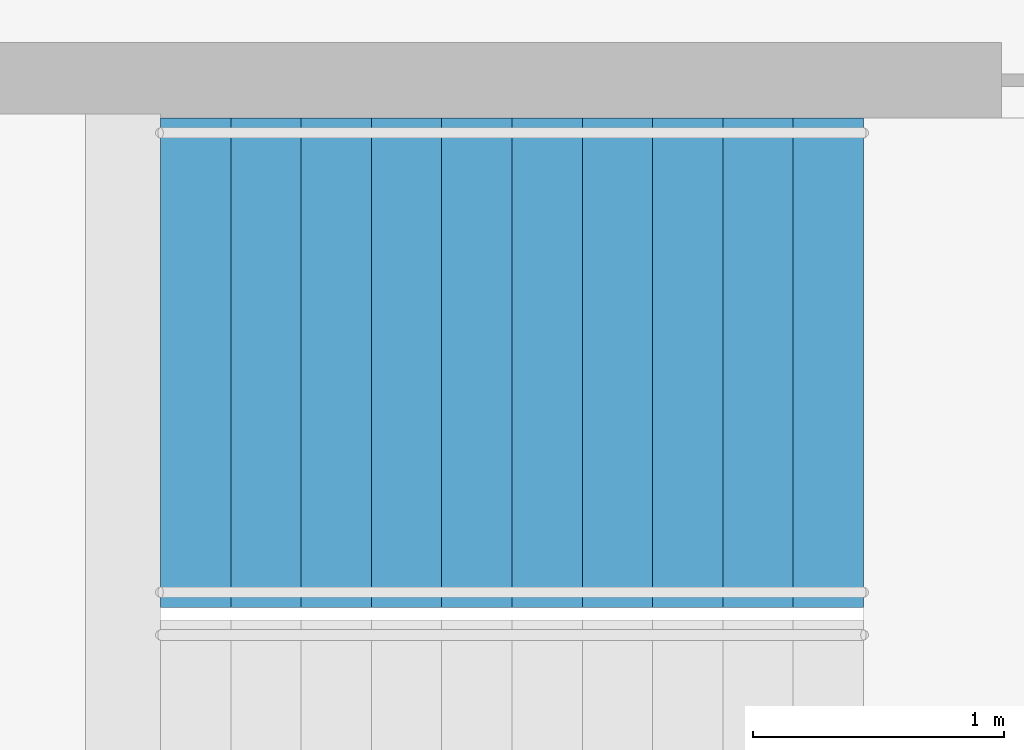
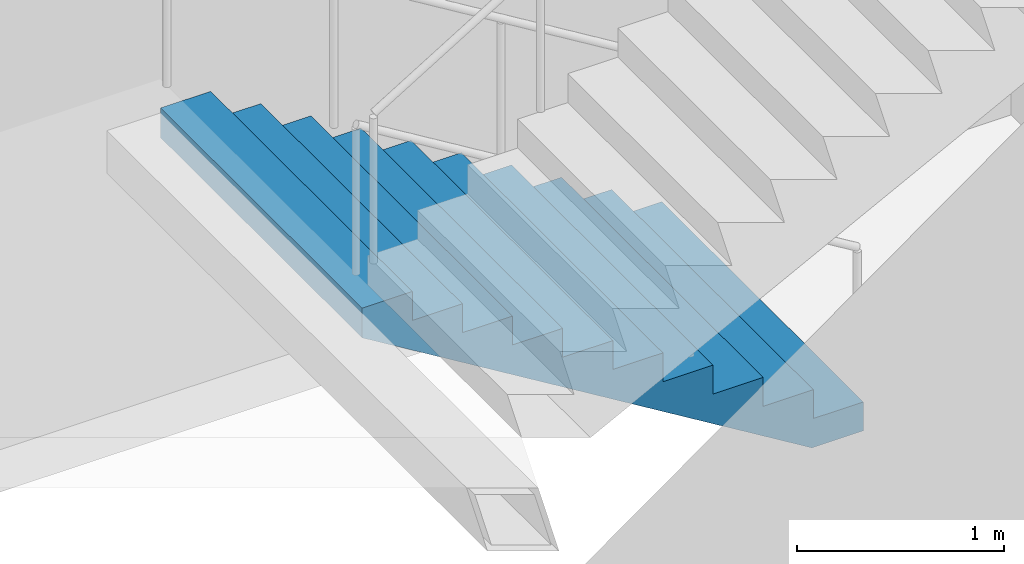
# One storey, part 24 of 25: 1 stair flight, 1 element without a shape of its own.
"""IFC4 building model written with IfcOpenShell, lengths in metres."""

from ifc_helpers import new_model, si_unit, direction, frame, origin, place, context, subcontext, project, spatial, triangles, material, type_object, element, aggregate, save


model = new_model("IFC4")

# Units and contexts
model_context = context("Model", 3, precision=1e-05, world=origin(), true_north=direction((0.0, 1.0)))
body_context = subcontext(model_context, "Body", "Model", "MODEL_VIEW")
ifc_project = project(units=[si_unit("LENGTHUNIT", "METRE"), si_unit("AREAUNIT", "SQUARE_METRE"), si_unit("VOLUMEUNIT", "CUBIC_METRE"), si_unit("PLANEANGLEUNIT", "RADIAN"), si_unit("MASSUNIT", "GRAM", prefix="KILO")], contexts=[model_context])

# Site, building, storey
site_placement = place(None, origin())
site = spatial("IfcSite", under=ifc_project, at=site_placement, CompositionType="ELEMENT")
building_placement = place(site_placement, origin())
building = spatial("IfcBuilding", under=site, at=building_placement, Name="Orbita Commons", CompositionType="ELEMENT")
storey_placement = place(building_placement, frame((0.0, 0.0, 31.449951171875)))
storey = spatial("IfcBuildingStorey", under=building, at=storey_placement, Name="L07", CompositionType="ELEMENT", Elevation=31.449951171875)

# Stair, stair flight
ifc_material_1 = material(Name="Precast concrete C40/50", Category="concrete")
stair_type = type_object("IfcStairType", Name="Exit stair S2 2 flights 11 risers 170", PredefinedType="HALF_TURN_STAIR", material=ifc_material_1)
stair_placement = place(storey_placement, origin())
stair = element("IfcStair", 1, at=stair_placement, inside=storey, type_object=stair_type, Name="Exit stair S2 L07", PredefinedType="HALF_TURN_STAIR")
ifc_material_2 = material(Name="Precast concrete C40/50", Category="concrete")
stair_flight_type = type_object("IfcStairFlightType", Name="Stair flight 11 risers 170 x 280", PredefinedType="STRAIGHT", material=ifc_material_2)
stair_flight_placement = place(storey_placement, frame((63.550048828125, 29.27490234375, 0.0), z_axis=(0.0, 0.0, 1.0), x_axis=(-1.0, 0.0, 0.0)))
stair_flight = element("IfcStairFlight", 2, at=stair_flight_placement, type_object=stair_flight_type, Name="S2 flight 1", NumberOfRisers=11, NumberOfTreads=10, PredefinedType="STRAIGHT", RiserHeight=0.170454545, TreadLength=0.28, context=body_context, shape_type="Tessellation", body=[
    triangles([(0.0, 0.974976, 0.0), (0.0, 0.974976, 0.021307), (0.0, 0.81248, 0.021307), (0.0, 0.81248, 0.0), (0.0, 0.649984, 0.021307), (0.0, 0.649984, 0.0), (0.0, 0.487488, 0.021307), (0.0, 0.487488, 0.0), (0.0, 0.324992, 0.021307), (0.0, 0.324992, 0.0), (0.0, 0.162496, 0.021307), (0.0, 0.162496, 0.0), (0.0, 0.0, 0.021307), (0.0, 0.0, 0.0), (0.0, -0.162496, 0.021307), (0.0, -0.162496, 0.0), (0.0, -0.324992, 0.021307), (0.0, -0.324992, 0.0), (0.0, -0.487488, 0.021307), (0.0, -0.487488, 0.0), (0.0, -0.649984, 0.021307), (0.0, -0.649984, 0.0), (0.0, -0.81248, 0.021307), (0.0, -0.81248, 0.0), (0.0, -0.974976, 0.021307), (0.0, -0.974976, 0.0), (0.0, 0.974976, 0.042614), (0.0, 0.81248, 0.042614), (0.0, 0.649984, 0.042614), (0.0, 0.487488, 0.042614), (0.0, 0.324992, 0.042614), (0.0, 0.162496, 0.042614), (0.0, 0.0, 0.042614), (0.0, -0.162496, 0.042614), (0.0, -0.324992, 0.042614), (0.0, -0.487488, 0.042614), (0.0, -0.649984, 0.042614), (0.0, -0.81248, 0.042614), (0.0, -0.974976, 0.042614), (0.0, 0.974976, 0.06392), (0.0, 0.81248, 0.06392), (0.0, 0.649984, 0.06392), (0.0, 0.487488, 0.06392), (0.0, 0.324992, 0.06392), (0.0, 0.162496, 0.06392), (0.0, 0.0, 0.06392), (0.0, -0.162496, 0.06392), (0.0, -0.324992, 0.06392), (0.0, -0.487488, 0.06392), (0.0, -0.649984, 0.06392), (0.0, -0.81248, 0.06392), (0.0, -0.974976, 0.06392), (0.0, 0.974976, 0.085227), (0.0, 0.81248, 0.085227), (0.0, 0.649984, 0.085227), (0.0, 0.487488, 0.085227), (0.0, 0.324992, 0.085227), (0.0, 0.162496, 0.085227), (0.0, 0.0, 0.085227), (0.0, -0.162496, 0.085227), (0.0, -0.324992, 0.085227), (0.0, -0.487488, 0.085227), (0.0, -0.649984, 0.085227), (0.0, -0.81248, 0.085227), (0.0, -0.974976, 0.085227), (0.0, 0.974976, 0.106534), (0.0, 0.81248, 0.106534), (0.0, 0.649984, 0.106534), (0.0, 0.487488, 0.106534), (0.0, 0.324992, 0.106534), (0.0, 0.162496, 0.106534), (0.0, 0.0, 0.106534), (0.0, -0.162496, 0.106534), (0.0, -0.324992, 0.106534), (0.0, -0.487488, 0.106534), (0.0, -0.649984, 0.106534), (0.0, -0.81248, 0.106534), (0.0, -0.974976, 0.106534), (0.0, 0.974976, 0.127841), (0.0, 0.81248, 0.127841), (0.0, 0.649984, 0.127841), (0.0, 0.487488, 0.127841), (0.0, 0.324992, 0.127841), (0.0, 0.162496, 0.127841), (0.0, 0.0, 0.127841), (0.0, -0.162496, 0.127841), (0.0, -0.324992, 0.127841), (0.0, -0.487488, 0.127841), (0.0, -0.649984, 0.127841), (0.0, -0.81248, 0.127841), (0.0, -0.974976, 0.127841), (0.0, 0.974976, 0.149148), (0.0, 0.81248, 0.149148), (0.0, 0.649984, 0.149148), (0.0, 0.487488, 0.149148), (0.0, 0.324992, 0.149148), (0.0, 0.162496, 0.149148), (0.0, 0.0, 0.149148), (0.0, -0.162496, 0.149148), (0.0, -0.324992, 0.149148), (0.0, -0.487488, 0.149148), (0.0, -0.649984, 0.149148), (0.0, -0.81248, 0.149148), (0.0, -0.974976, 0.149148), (0.0, 0.974976, 0.170455), (0.0, 0.81248, 0.170455), (0.0, 0.649984, 0.170455), (0.0, 0.487488, 0.170455), (0.0, 0.324992, 0.170455), (0.0, 0.162496, 0.170455), (0.0, 0.0, 0.170455), (0.0, -0.162496, 0.170455), (0.0, -0.324992, 0.170455), (0.0, -0.487488, 0.170455), (0.0, -0.649984, 0.170455), (0.0, -0.81248, 0.170455), (0.0, -0.974976, 0.170455), (0.28, 0.974976, 0.170455), (0.28, 0.81248, 0.170455), (0.28, 0.649984, 0.170455), (0.28, 0.487488, 0.170455), (0.28, 0.324992, 0.170455), (0.28, 0.162496, 0.170455), (0.28, 0.0, 0.170455), (0.28, -0.162496, 0.170455), (0.28, -0.324992, 0.170455), (0.28, -0.487488, 0.170455), (0.28, -0.649984, 0.170455), (0.28, -0.81248, 0.170455), (0.28, -0.974976, 0.170455), (0.28, 0.974976, 0.340909), (0.28, 0.81248, 0.340909), (0.28, 0.649984, 0.340909), (0.28, 0.487488, 0.340909), (0.28, 0.324992, 0.340909), (0.28, 0.162496, 0.340909), (0.28, 0.0, 0.340909), (0.28, -0.162496, 0.340909), (0.28, -0.324992, 0.340909), (0.28, -0.487488, 0.340909), (0.28, -0.649984, 0.340909), (0.28, -0.81248, 0.340909), (0.28, -0.974976, 0.340909), (0.56, 0.974976, 0.340909), (0.56, 0.81248, 0.340909), (0.56, 0.649984, 0.340909), (0.56, 0.487488, 0.340909), (0.56, 0.324992, 0.340909), (0.56, 0.162496, 0.340909), (0.56, 0.0, 0.340909), (0.56, -0.162496, 0.340909), (0.56, -0.324992, 0.340909), (0.56, -0.487488, 0.340909), (0.56, -0.649984, 0.340909), (0.56, -0.81248, 0.340909), (0.56, -0.974976, 0.340909), (0.56, 0.974976, 0.511364), (0.56, 0.81248, 0.511364), (0.56, 0.649984, 0.511364), (0.56, 0.487488, 0.511364), (0.56, 0.324992, 0.511364), (0.56, 0.162496, 0.511364), (0.56, 0.0, 0.511364), (0.56, -0.162496, 0.511364), (0.56, -0.324992, 0.511364), (0.56, -0.487488, 0.511364), (0.56, -0.649984, 0.511364), (0.56, -0.81248, 0.511364), (0.56, -0.974976, 0.511364), (0.84, 0.974976, 0.511364), (0.84, 0.81248, 0.511364), (0.84, 0.649984, 0.511364), (0.84, 0.487488, 0.511364), (0.84, 0.324992, 0.511364), (0.84, 0.162496, 0.511364), (0.84, 0.0, 0.511364), (0.84, -0.162496, 0.511364), (0.84, -0.324992, 0.511364), (0.84, -0.487488, 0.511364), (0.84, -0.649984, 0.511364), (0.84, -0.81248, 0.511364), (0.84, -0.974976, 0.511364), (0.84, 0.974976, 0.681818), (0.84, 0.81248, 0.681818), (0.84, 0.649984, 0.681818), (0.84, 0.487488, 0.681818), (0.84, 0.324992, 0.681818), (0.84, 0.162496, 0.681818), (0.84, 0.0, 0.681818), (0.84, -0.162496, 0.681818), (0.84, -0.324992, 0.681818), (0.84, -0.487488, 0.681818), (0.84, -0.649984, 0.681818), (0.84, -0.81248, 0.681818), (0.84, -0.974976, 0.681818), (1.12, 0.974976, 0.681818), (1.12, 0.81248, 0.681818), (1.12, 0.649984, 0.681818), (1.12, 0.487488, 0.681818), (1.12, 0.324992, 0.681818), (1.12, 0.162496, 0.681818), (1.12, 0.0, 0.681818), (1.12, -0.162496, 0.681818), (1.12, -0.324992, 0.681818), (1.12, -0.487488, 0.681818), (1.12, -0.649984, 0.681818), (1.12, -0.81248, 0.681818), (1.12, -0.974976, 0.681818), (1.12, 0.974976, 0.852273), (1.12, 0.81248, 0.852273), (1.12, 0.649984, 0.852273), (1.12, 0.487488, 0.852273), (1.12, 0.324992, 0.852273), (1.12, 0.162496, 0.852273), (1.12, 0.0, 0.852273), (1.12, -0.162496, 0.852273), (1.12, -0.324992, 0.852273), (1.12, -0.487488, 0.852273), (1.12, -0.649984, 0.852273), (1.12, -0.81248, 0.852273), (1.12, -0.974976, 0.852273), (1.4, 0.974976, 0.852273), (1.4, 0.81248, 0.852273), (1.4, 0.649984, 0.852273), (1.4, 0.487488, 0.852273), (1.4, 0.324992, 0.852273), (1.4, 0.162496, 0.852273), (1.4, 0.0, 0.852273), (1.4, -0.162496, 0.852273), (1.4, -0.324992, 0.852273), (1.4, -0.487488, 0.852273), (1.4, -0.649984, 0.852273), (1.4, -0.81248, 0.852273), (1.4, -0.974976, 0.852273), (1.4, 0.974976, 1.022727), (1.4, 0.81248, 1.022727), (1.4, 0.649984, 1.022727), (1.4, 0.487488, 1.022727), (1.4, 0.324992, 1.022727), (1.4, 0.162496, 1.022727), (1.4, 0.0, 1.022727), (1.4, -0.162496, 1.022727), (1.4, -0.324992, 1.022727), (1.4, -0.487488, 1.022727), (1.4, -0.649984, 1.022727), (1.4, -0.81248, 1.022727), (1.4, -0.974976, 1.022727), (1.68, 0.974976, 1.022727), (1.68, 0.81248, 1.022727), (1.68, 0.649984, 1.022727), (1.68, 0.487488, 1.022727), (1.68, 0.324992, 1.022727), (1.68, 0.162496, 1.022727), (1.68, 0.0, 1.022727), (1.68, -0.162496, 1.022727), (1.68, -0.324992, 1.022727), (1.68, -0.487488, 1.022727), (1.68, -0.649984, 1.022727), (1.68, -0.81248, 1.022727), (1.68, -0.974976, 1.022727), (1.68, 0.974976, 1.193182), (1.68, 0.81248, 1.193182), (1.68, 0.649984, 1.193182), (1.68, 0.487488, 1.193182), (1.68, 0.324992, 1.193182), (1.68, 0.162496, 1.193182), (1.68, 0.0, 1.193182), (1.68, -0.162496, 1.193182), (1.68, -0.324992, 1.193182), (1.68, -0.487488, 1.193182), (1.68, -0.649984, 1.193182), (1.68, -0.81248, 1.193182), (1.68, -0.974976, 1.193182), (1.96, 0.974976, 1.193182), (1.96, 0.81248, 1.193182), (1.96, 0.649984, 1.193182), (1.96, 0.487488, 1.193182), (1.96, 0.324992, 1.193182), (1.96, 0.162496, 1.193182), (1.96, 0.0, 1.193182), (1.96, -0.162496, 1.193182), (1.96, -0.324992, 1.193182), (1.96, -0.487488, 1.193182), (1.96, -0.649984, 1.193182), (1.96, -0.81248, 1.193182), (1.96, -0.974976, 1.193182), (1.96, 0.974976, 1.363636), (1.96, 0.81248, 1.363636), (1.96, 0.649984, 1.363636), (1.96, 0.487488, 1.363636), (1.96, 0.324992, 1.363636), (1.96, 0.162496, 1.363636), (1.96, 0.0, 1.363636), (1.96, -0.162496, 1.363636), (1.96, -0.324992, 1.363636), (1.96, -0.487488, 1.363636), (1.96, -0.649984, 1.363636), (1.96, -0.81248, 1.363636), (1.96, -0.974976, 1.363636), (2.24, 0.974976, 1.363636), (2.24, 0.81248, 1.363636), (2.24, 0.649984, 1.363636), (2.24, 0.487488, 1.363636), (2.24, 0.324992, 1.363636), (2.24, 0.162496, 1.363636), (2.24, 0.0, 1.363636), (2.24, -0.162496, 1.363636), (2.24, -0.324992, 1.363636), (2.24, -0.487488, 1.363636), (2.24, -0.649984, 1.363636), (2.24, -0.81248, 1.363636), (2.24, -0.974976, 1.363636), (2.24, 0.974976, 1.534091), (2.24, 0.81248, 1.534091), (2.24, 0.649984, 1.534091), (2.24, 0.487488, 1.534091), (2.24, 0.324992, 1.534091), (2.24, 0.162496, 1.534091), (2.24, 0.0, 1.534091), (2.24, -0.162496, 1.534091), (2.24, -0.324992, 1.534091), (2.24, -0.487488, 1.534091), (2.24, -0.649984, 1.534091), (2.24, -0.81248, 1.534091), (2.24, -0.974976, 1.534091), (2.52, 0.974976, 1.534091), (2.52, 0.81248, 1.534091), (2.52, 0.649984, 1.534091), (2.52, 0.487488, 1.534091), (2.52, 0.324992, 1.534091), (2.52, 0.162496, 1.534091), (2.52, 0.0, 1.534091), (2.52, -0.162496, 1.534091), (2.52, -0.324992, 1.534091), (2.52, -0.487488, 1.534091), (2.52, -0.649984, 1.534091), (2.52, -0.81248, 1.534091), (2.52, -0.974976, 1.534091), (2.52, 0.974976, 1.704545), (2.52, 0.81248, 1.704545), (2.52, 0.649984, 1.704545), (2.52, 0.487488, 1.704545), (2.52, 0.324992, 1.704545), (2.52, 0.162496, 1.704545), (2.52, 0.0, 1.704545), (2.52, -0.162496, 1.704545), (2.52, -0.324992, 1.704545), (2.52, -0.487488, 1.704545), (2.52, -0.649984, 1.704545), (2.52, -0.81248, 1.704545), (2.52, -0.974976, 1.704545), (2.8, 0.974976, 1.704545), (2.8, 0.81248, 1.704545), (2.8, 0.649984, 1.704545), (2.8, 0.487488, 1.704545), (2.8, 0.324992, 1.704545), (2.8, 0.162496, 1.704545), (2.8, 0.0, 1.704545), (2.8, -0.162496, 1.704545), (2.8, -0.324992, 1.704545), (2.8, -0.487488, 1.704545), (2.8, -0.649984, 1.704545), (2.8, -0.81248, 1.704545), (2.8, -0.974976, 1.704545), (2.8, 0.974976, 1.682609), (2.8, 0.81248, 1.682609), (2.8, 0.649984, 1.682609), (2.8, 0.487488, 1.682609), (2.8, 0.324992, 1.682609), (2.8, 0.162496, 1.682609), (2.8, 0.0, 1.682609), (2.8, -0.162496, 1.682609), (2.8, -0.324992, 1.682609), (2.8, -0.487488, 1.682609), (2.8, -0.649984, 1.682609), (2.8, -0.81248, 1.682609), (2.8, -0.974976, 1.682609), (2.8, 0.974976, 1.660672), (2.8, 0.81248, 1.660672), (2.8, 0.649984, 1.660672), (2.8, 0.487488, 1.660672), (2.8, 0.324992, 1.660672), (2.8, 0.162496, 1.660672), (2.8, 0.0, 1.660672), (2.8, -0.162496, 1.660672), (2.8, -0.324992, 1.660672), (2.8, -0.487488, 1.660672), (2.8, -0.649984, 1.660672), (2.8, -0.81248, 1.660672), (2.8, -0.974976, 1.660672), (2.8, 0.974976, 1.638735), (2.8, 0.81248, 1.638735), (2.8, 0.649984, 1.638735), (2.8, 0.487488, 1.638735), (2.8, 0.324992, 1.638735), (2.8, 0.162496, 1.638735), (2.8, 0.0, 1.638735), (2.8, -0.162496, 1.638735), (2.8, -0.324992, 1.638735), (2.8, -0.487488, 1.638735), (2.8, -0.649984, 1.638735), (2.8, -0.81248, 1.638735), (2.8, -0.974976, 1.638735), (2.8, 0.974976, 1.616798), (2.8, 0.81248, 1.616798), (2.8, 0.649984, 1.616798), (2.8, 0.487488, 1.616798), (2.8, 0.324992, 1.616798), (2.8, 0.162496, 1.616798), (2.8, 0.0, 1.616798), (2.8, -0.162496, 1.616798), (2.8, -0.324992, 1.616798), (2.8, -0.487488, 1.616798), (2.8, -0.649984, 1.616798), (2.8, -0.81248, 1.616798), (2.8, -0.974976, 1.616798), (2.8, 0.974976, 1.594861), (2.8, 0.81248, 1.594861), (2.8, 0.649984, 1.594861), (2.8, 0.487488, 1.594861), (2.8, 0.324992, 1.594861), (2.8, 0.162496, 1.594861), (2.8, 0.0, 1.594861), (2.8, -0.162496, 1.594861), (2.8, -0.324992, 1.594861), (2.8, -0.487488, 1.594861), (2.8, -0.649984, 1.594861), (2.8, -0.81248, 1.594861), (2.8, -0.974976, 1.594861), (2.8, 0.974976, 1.572925), (2.8, 0.81248, 1.572925), (2.8, 0.649984, 1.572925), (2.8, 0.487488, 1.572925), (2.8, 0.324992, 1.572925), (2.8, 0.162496, 1.572925), (2.8, 0.0, 1.572925), (2.8, -0.162496, 1.572925), (2.8, -0.324992, 1.572925), (2.8, -0.487488, 1.572925), (2.8, -0.649984, 1.572925), (2.8, -0.81248, 1.572925), (2.8, -0.974976, 1.572925), (2.8, 0.974976, 1.550988), (2.8, 0.81248, 1.550988), (2.8, 0.649984, 1.550988), (2.8, 0.487488, 1.550988), (2.8, 0.324992, 1.550988), (2.8, 0.162496, 1.550988), (2.8, 0.0, 1.550988), (2.8, -0.162496, 1.550988), (2.8, -0.324992, 1.550988), (2.8, -0.487488, 1.550988), (2.8, -0.649984, 1.550988), (2.8, -0.81248, 1.550988), (2.8, -0.974976, 1.550988), (2.8, 0.974976, 1.529051), (2.8, 0.81248, 1.529051), (2.8, 0.649984, 1.529051), (2.8, 0.487488, 1.529051), (2.8, 0.324992, 1.529051), (2.8, 0.162496, 1.529051), (2.8, 0.0, 1.529051), (2.8, -0.162496, 1.529051), (2.8, -0.324992, 1.529051), (2.8, -0.487488, 1.529051), (2.8, -0.649984, 1.529051), (2.8, -0.81248, 1.529051), (2.8, -0.974976, 1.529051), (0.288279, 0.974976, 0.0), (0.288279, 0.81248, 0.0), (0.288279, 0.649984, 0.0), (0.288279, 0.487488, 0.0), (0.288279, 0.324992, 0.0), (0.288279, 0.162496, 0.0), (0.288279, 0.0, 0.0), (0.288279, -0.162496, 0.0), (0.288279, -0.324992, 0.0), (0.288279, -0.487488, 0.0), (0.288279, -0.649984, 0.0), (0.288279, -0.81248, 0.0), (0.288279, -0.974976, 0.0)], [[3, 2, 1], [4, 3, 1], [5, 3, 4], [6, 5, 4], [7, 5, 6], [8, 7, 6], [9, 7, 8], [10, 9, 8], [11, 9, 10], [12, 11, 10], [13, 11, 12], [14, 13, 12], [15, 13, 14], [16, 15, 14], [17, 15, 16], [18, 17, 16], [19, 17, 18], [20, 19, 18], [21, 19, 20], [22, 21, 20], [23, 21, 22], [24, 23, 22], [25, 23, 24], [26, 25, 24], [28, 27, 2], [3, 28, 2], [29, 28, 3], [5, 29, 3], [30, 29, 5], [7, 30, 5], [31, 30, 7], [9, 31, 7], [32, 31, 9], [11, 32, 9], [33, 32, 11], [13, 33, 11], [34, 33, 13], [15, 34, 13], [35, 34, 15], [17, 35, 15], [36, 35, 17], [19, 36, 17], [37, 36, 19], [21, 37, 19], [38, 37, 21], [23, 38, 21], [39, 38, 23], [25, 39, 23], [41, 40, 27], [28, 41, 27], [42, 41, 28], [29, 42, 28], [43, 42, 29], [30, 43, 29], [44, 43, 30], [31, 44, 30], [45, 44, 31], [32, 45, 31], [46, 45, 32], [33, 46, 32], [47, 46, 33], [34, 47, 33], [48, 47, 34], [35, 48, 34], [49, 48, 35], [36, 49, 35], [50, 49, 36], [37, 50, 36], [51, 50, 37], [38, 51, 37], [52, 51, 38], [39, 52, 38], [54, 53, 40], [41, 54, 40], [55, 54, 41], [42, 55, 41], [56, 55, 42], [43, 56, 42], [57, 56, 43], [44, 57, 43], [58, 57, 44], [45, 58, 44], [59, 58, 45], [46, 59, 45], [60, 59, 46], [47, 60, 46], [61, 60, 47], [48, 61, 47], [62, 61, 48], [49, 62, 48], [63, 62, 49], [50, 63, 49], [64, 63, 50], [51, 64, 50], [65, 64, 51], [52, 65, 51], [67, 66, 53], [54, 67, 53], [68, 67, 54], [55, 68, 54], [69, 68, 55], [56, 69, 55], [70, 69, 56], [57, 70, 56], [71, 70, 57], [58, 71, 57], [72, 71, 58], [59, 72, 58], [73, 72, 59], [60, 73, 59], [74, 73, 60], [61, 74, 60], [75, 74, 61], [62, 75, 61], [76, 75, 62], [63, 76, 62], [77, 76, 63], [64, 77, 63], [78, 77, 64], [65, 78, 64], [80, 79, 66], [67, 80, 66], [81, 80, 67], [68, 81, 67], [82, 81, 68], [69, 82, 68], [83, 82, 69], [70, 83, 69], [84, 83, 70], [71, 84, 70], [85, 84, 71], [72, 85, 71], [86, 85, 72], [73, 86, 72], [87, 86, 73], [74, 87, 73], [88, 87, 74], [75, 88, 74], [89, 88, 75], [76, 89, 75], [90, 89, 76], [77, 90, 76], [91, 90, 77], [78, 91, 77], [93, 92, 79], [80, 93, 79], [94, 93, 80], [81, 94, 80], [95, 94, 81], [82, 95, 81], [96, 95, 82], [83, 96, 82], [97, 96, 83], [84, 97, 83], [98, 97, 84], [85, 98, 84], [99, 98, 85], [86, 99, 85], [100, 99, 86], [87, 100, 86], [101, 100, 87], [88, 101, 87], [102, 101, 88], [89, 102, 88], [103, 102, 89], [90, 103, 89], [104, 103, 90], [91, 104, 90], [106, 105, 92], [93, 106, 92], [107, 106, 93], [94, 107, 93], [108, 107, 94], [95, 108, 94], [109, 108, 95], [96, 109, 95], [110, 109, 96], [97, 110, 96], [111, 110, 97], [98, 111, 97], [112, 111, 98], [99, 112, 98], [113, 112, 99], [100, 113, 99], [114, 113, 100], [101, 114, 100], [115, 114, 101], [102, 115, 101], [116, 115, 102], [103, 116, 102], [117, 116, 103], [104, 117, 103], [119, 118, 105], [106, 119, 105], [120, 119, 106], [107, 120, 106], [121, 120, 107], [108, 121, 107], [122, 121, 108], [109, 122, 108], [123, 122, 109], [110, 123, 109], [124, 123, 110], [111, 124, 110], [125, 124, 111], [112, 125, 111], [126, 125, 112], [113, 126, 112], [127, 126, 113], [114, 127, 113], [128, 127, 114], [115, 128, 114], [129, 128, 115], [116, 129, 115], [130, 129, 116], [117, 130, 116], [132, 131, 118], [119, 132, 118], [133, 132, 119], [120, 133, 119], [134, 133, 120], [121, 134, 120], [135, 134, 121], [122, 135, 121], [136, 135, 122], [123, 136, 122], [137, 136, 123], [124, 137, 123], [138, 137, 124], [125, 138, 124], [139, 138, 125], [126, 139, 125], [140, 139, 126], [127, 140, 126], [141, 140, 127], [128, 141, 127], [142, 141, 128], [129, 142, 128], [143, 142, 129], [130, 143, 129], [145, 144, 131], [132, 145, 131], [146, 145, 132], [133, 146, 132], [147, 146, 133], [134, 147, 133], [148, 147, 134], [135, 148, 134], [149, 148, 135], [136, 149, 135], [150, 149, 136], [137, 150, 136], [151, 150, 137], [138, 151, 137], [152, 151, 138], [139, 152, 138], [153, 152, 139], [140, 153, 139], [154, 153, 140], [141, 154, 140], [155, 154, 141], [142, 155, 141], [156, 155, 142], [143, 156, 142], [158, 157, 144], [145, 158, 144], [159, 158, 145], [146, 159, 145], [160, 159, 146], [147, 160, 146], [161, 160, 147], [148, 161, 147], [162, 161, 148], [149, 162, 148], [163, 162, 149], [150, 163, 149], [164, 163, 150], [151, 164, 150], [165, 164, 151], [152, 165, 151], [166, 165, 152], [153, 166, 152], [167, 166, 153], [154, 167, 153], [168, 167, 154], [155, 168, 154], [169, 168, 155], [156, 169, 155], [171, 170, 157], [158, 171, 157], [172, 171, 158], [159, 172, 158], [173, 172, 159], [160, 173, 159], [174, 173, 160], [161, 174, 160], [175, 174, 161], [162, 175, 161], [176, 175, 162], [163, 176, 162], [177, 176, 163], [164, 177, 163], [178, 177, 164], [165, 178, 164], [179, 178, 165], [166, 179, 165], [180, 179, 166], [167, 180, 166], [181, 180, 167], [168, 181, 167], [182, 181, 168], [169, 182, 168], [184, 183, 170], [171, 184, 170], [185, 184, 171], [172, 185, 171], [186, 185, 172], [173, 186, 172], [187, 186, 173], [174, 187, 173], [188, 187, 174], [175, 188, 174], [189, 188, 175], [176, 189, 175], [190, 189, 176], [177, 190, 176], [191, 190, 177], [178, 191, 177], [192, 191, 178], [179, 192, 178], [193, 192, 179], [180, 193, 179], [194, 193, 180], [181, 194, 180], [195, 194, 181], [182, 195, 181], [197, 196, 183], [184, 197, 183], [198, 197, 184], [185, 198, 184], [199, 198, 185], [186, 199, 185], [200, 199, 186], [187, 200, 186], [201, 200, 187], [188, 201, 187], [202, 201, 188], [189, 202, 188], [203, 202, 189], [190, 203, 189], [204, 203, 190], [191, 204, 190], [205, 204, 191], [192, 205, 191], [206, 205, 192], [193, 206, 192], [207, 206, 193], [194, 207, 193], [208, 207, 194], [195, 208, 194], [210, 209, 196], [197, 210, 196], [211, 210, 197], [198, 211, 197], [212, 211, 198], [199, 212, 198], [213, 212, 199], [200, 213, 199], [214, 213, 200], [201, 214, 200], [215, 214, 201], [202, 215, 201], [216, 215, 202], [203, 216, 202], [217, 216, 203], [204, 217, 203], [218, 217, 204], [205, 218, 204], [219, 218, 205], [206, 219, 205], [220, 219, 206], [207, 220, 206], [221, 220, 207], [208, 221, 207], [223, 222, 209], [210, 223, 209], [224, 223, 210], [211, 224, 210], [225, 224, 211], [212, 225, 211], [226, 225, 212], [213, 226, 212], [227, 226, 213], [214, 227, 213], [228, 227, 214], [215, 228, 214], [229, 228, 215], [216, 229, 215], [230, 229, 216], [217, 230, 216], [231, 230, 217], [218, 231, 217], [232, 231, 218], [219, 232, 218], [233, 232, 219], [220, 233, 219], [234, 233, 220], [221, 234, 220], [236, 235, 222], [223, 236, 222], [237, 236, 223], [224, 237, 223], [238, 237, 224], [225, 238, 224], [239, 238, 225], [226, 239, 225], [240, 239, 226], [227, 240, 226], [241, 240, 227], [228, 241, 227], [242, 241, 228], [229, 242, 228], [243, 242, 229], [230, 243, 229], [244, 243, 230], [231, 244, 230], [245, 244, 231], [232, 245, 231], [246, 245, 232], [233, 246, 232], [247, 246, 233], [234, 247, 233], [249, 248, 235], [236, 249, 235], [250, 249, 236], [237, 250, 236], [251, 250, 237], [238, 251, 237], [252, 251, 238], [239, 252, 238], [253, 252, 239], [240, 253, 239], [254, 253, 240], [241, 254, 240], [255, 254, 241], [242, 255, 241], [256, 255, 242], [243, 256, 242], [257, 256, 243], [244, 257, 243], [258, 257, 244], [245, 258, 244], [259, 258, 245], [246, 259, 245], [260, 259, 246], [247, 260, 246], [262, 261, 248], [249, 262, 248], [263, 262, 249], [250, 263, 249], [264, 263, 250], [251, 264, 250], [265, 264, 251], [252, 265, 251], [266, 265, 252], [253, 266, 252], [267, 266, 253], [254, 267, 253], [268, 267, 254], [255, 268, 254], [269, 268, 255], [256, 269, 255], [270, 269, 256], [257, 270, 256], [271, 270, 257], [258, 271, 257], [272, 271, 258], [259, 272, 258], [273, 272, 259], [260, 273, 259], [275, 274, 261], [262, 275, 261], [276, 275, 262], [263, 276, 262], [277, 276, 263], [264, 277, 263], [278, 277, 264], [265, 278, 264], [279, 278, 265], [266, 279, 265], [280, 279, 266], [267, 280, 266], [281, 280, 267], [268, 281, 267], [282, 281, 268], [269, 282, 268], [283, 282, 269], [270, 283, 269], [284, 283, 270], [271, 284, 270], [285, 284, 271], [272, 285, 271], [286, 285, 272], [273, 286, 272], [288, 287, 274], [275, 288, 274], [289, 288, 275], [276, 289, 275], [290, 289, 276], [277, 290, 276], [291, 290, 277], [278, 291, 277], [292, 291, 278], [279, 292, 278], [293, 292, 279], [280, 293, 279], [294, 293, 280], [281, 294, 280], [295, 294, 281], [282, 295, 281], [296, 295, 282], [283, 296, 282], [297, 296, 283], [284, 297, 283], [298, 297, 284], [285, 298, 284], [299, 298, 285], [286, 299, 285], [301, 300, 287], [288, 301, 287], [302, 301, 288], [289, 302, 288], [303, 302, 289], [290, 303, 289], [304, 303, 290], [291, 304, 290], [305, 304, 291], [292, 305, 291], [306, 305, 292], [293, 306, 292], [307, 306, 293], [294, 307, 293], [308, 307, 294], [295, 308, 294], [309, 308, 295], [296, 309, 295], [310, 309, 296], [297, 310, 296], [311, 310, 297], [298, 311, 297], [312, 311, 298], [299, 312, 298], [314, 313, 300], [301, 314, 300], [315, 314, 301], [302, 315, 301], [316, 315, 302], [303, 316, 302], [317, 316, 303], [304, 317, 303], [318, 317, 304], [305, 318, 304], [319, 318, 305], [306, 319, 305], [320, 319, 306], [307, 320, 306], [321, 320, 307], [308, 321, 307], [322, 321, 308], [309, 322, 308], [323, 322, 309], [310, 323, 309], [324, 323, 310], [311, 324, 310], [325, 324, 311], [312, 325, 311], [327, 326, 313], [314, 327, 313], [328, 327, 314], [315, 328, 314], [329, 328, 315], [316, 329, 315], [330, 329, 316], [317, 330, 316], [331, 330, 317], [318, 331, 317], [332, 331, 318], [319, 332, 318], [333, 332, 319], [320, 333, 319], [334, 333, 320], [321, 334, 320], [335, 334, 321], [322, 335, 321], [336, 335, 322], [323, 336, 322], [337, 336, 323], [324, 337, 323], [338, 337, 324], [325, 338, 324], [340, 339, 326], [327, 340, 326], [341, 340, 327], [328, 341, 327], [342, 341, 328], [329, 342, 328], [343, 342, 329], [330, 343, 329], [344, 343, 330], [331, 344, 330], [345, 344, 331], [332, 345, 331], [346, 345, 332], [333, 346, 332], [347, 346, 333], [334, 347, 333], [348, 347, 334], [335, 348, 334], [349, 348, 335], [336, 349, 335], [350, 349, 336], [337, 350, 336], [351, 350, 337], [338, 351, 337], [353, 352, 339], [340, 353, 339], [354, 353, 340], [341, 354, 340], [355, 354, 341], [342, 355, 341], [356, 355, 342], [343, 356, 342], [357, 356, 343], [344, 357, 343], [358, 357, 344], [345, 358, 344], [359, 358, 345], [346, 359, 345], [360, 359, 346], [347, 360, 346], [361, 360, 347], [348, 361, 347], [362, 361, 348], [349, 362, 348], [363, 362, 349], [350, 363, 349], [364, 363, 350], [351, 364, 350], [366, 365, 352], [353, 366, 352], [367, 366, 353], [354, 367, 353], [368, 367, 354], [355, 368, 354], [369, 368, 355], [356, 369, 355], [370, 369, 356], [357, 370, 356], [371, 370, 357], [358, 371, 357], [372, 371, 358], [359, 372, 358], [373, 372, 359], [360, 373, 359], [374, 373, 360], [361, 374, 360], [375, 374, 361], [362, 375, 361], [376, 375, 362], [363, 376, 362], [377, 376, 363], [364, 377, 363], [379, 378, 365], [366, 379, 365], [380, 379, 366], [367, 380, 366], [381, 380, 367], [368, 381, 367], [382, 381, 368], [369, 382, 368], [383, 382, 369], [370, 383, 369], [384, 383, 370], [371, 384, 370], [385, 384, 371], [372, 385, 371], [386, 385, 372], [373, 386, 372], [387, 386, 373], [374, 387, 373], [388, 387, 374], [375, 388, 374], [389, 388, 375], [376, 389, 375], [390, 389, 376], [377, 390, 376], [392, 391, 378], [379, 392, 378], [393, 392, 379], [380, 393, 379], [394, 393, 380], [381, 394, 380], [395, 394, 381], [382, 395, 381], [396, 395, 382], [383, 396, 382], [397, 396, 383], [384, 397, 383], [398, 397, 384], [385, 398, 384], [399, 398, 385], [386, 399, 385], [400, 399, 386], [387, 400, 386], [401, 400, 387], [388, 401, 387], [402, 401, 388], [389, 402, 388], [403, 402, 389], [390, 403, 389], [405, 404, 391], [392, 405, 391], [406, 405, 392], [393, 406, 392], [407, 406, 393], [394, 407, 393], [408, 407, 394], [395, 408, 394], [409, 408, 395], [396, 409, 395], [410, 409, 396], [397, 410, 396], [411, 410, 397], [398, 411, 397], [412, 411, 398], [399, 412, 398], [413, 412, 399], [400, 413, 399], [414, 413, 400], [401, 414, 400], [415, 414, 401], [402, 415, 401], [416, 415, 402], [403, 416, 402], [418, 417, 404], [405, 418, 404], [419, 418, 405], [406, 419, 405], [420, 419, 406], [407, 420, 406], [421, 420, 407], [408, 421, 407], [422, 421, 408], [409, 422, 408], [423, 422, 409], [410, 423, 409], [424, 423, 410], [411, 424, 410], [425, 424, 411], [412, 425, 411], [426, 425, 412], [413, 426, 412], [427, 426, 413], [414, 427, 413], [428, 427, 414], [415, 428, 414], [429, 428, 415], [416, 429, 415], [431, 430, 417], [418, 431, 417], [432, 431, 418], [419, 432, 418], [433, 432, 419], [420, 433, 419], [434, 433, 420], [421, 434, 420], [435, 434, 421], [422, 435, 421], [436, 435, 422], [423, 436, 422], [437, 436, 423], [424, 437, 423], [438, 437, 424], [425, 438, 424], [439, 438, 425], [426, 439, 425], [440, 439, 426], [427, 440, 426], [441, 440, 427], [428, 441, 427], [442, 441, 428], [429, 442, 428], [444, 443, 430], [431, 444, 430], [445, 444, 431], [432, 445, 431], [446, 445, 432], [433, 446, 432], [447, 446, 433], [434, 447, 433], [448, 447, 434], [435, 448, 434], [449, 448, 435], [436, 449, 435], [450, 449, 436], [437, 450, 436], [451, 450, 437], [438, 451, 437], [452, 451, 438], [439, 452, 438], [453, 452, 439], [440, 453, 439], [454, 453, 440], [441, 454, 440], [455, 454, 441], [442, 455, 441], [457, 456, 443], [444, 457, 443], [458, 457, 444], [445, 458, 444], [459, 458, 445], [446, 459, 445], [460, 459, 446], [447, 460, 446], [461, 460, 447], [448, 461, 447], [462, 461, 448], [449, 462, 448], [463, 462, 449], [450, 463, 449], [464, 463, 450], [451, 464, 450], [465, 464, 451], [452, 465, 451], [466, 465, 452], [453, 466, 452], [467, 466, 453], [454, 467, 453], [468, 467, 454], [455, 468, 454], [470, 469, 456], [457, 470, 456], [471, 470, 457], [458, 471, 457], [472, 471, 458], [459, 472, 458], [473, 472, 459], [460, 473, 459], [474, 473, 460], [461, 474, 460], [475, 474, 461], [462, 475, 461], [476, 475, 462], [463, 476, 462], [477, 476, 463], [464, 477, 463], [478, 477, 464], [465, 478, 464], [479, 478, 465], [466, 479, 465], [480, 479, 466], [467, 480, 466], [481, 480, 467], [468, 481, 467], [4, 1, 469], [470, 4, 469], [6, 4, 470], [471, 6, 470], [8, 6, 471], [472, 8, 471], [10, 8, 472], [473, 10, 472], [12, 10, 473], [474, 12, 473], [14, 12, 474], [475, 14, 474], [16, 14, 475], [476, 16, 475], [18, 16, 476], [477, 18, 476], [20, 18, 477], [478, 20, 477], [22, 20, 478], [479, 22, 478], [24, 22, 479], [480, 24, 479], [26, 24, 480], [481, 26, 480], [456, 469, 1], [26, 481, 468], [443, 456, 1], [26, 468, 455], [430, 443, 1], [26, 455, 442], [417, 430, 1], [26, 442, 429], [404, 417, 1], [26, 429, 416], [391, 404, 1], [26, 416, 403], [378, 391, 1], [26, 403, 390], [365, 378, 1], [26, 390, 377], [339, 352, 365], [377, 364, 351], [326, 339, 365], [377, 351, 338], [300, 313, 326], [338, 325, 312], [300, 326, 365], [377, 338, 312], [274, 287, 300], [312, 299, 286], [274, 300, 365], [377, 312, 286], [248, 261, 274], [286, 273, 260], [248, 274, 365], [377, 286, 260], [222, 235, 248], [260, 247, 234], [222, 248, 365], [377, 260, 234], [196, 209, 222], [234, 221, 208], [196, 222, 365], [377, 234, 208], [170, 183, 196], [208, 195, 182], [170, 196, 365], [377, 208, 182], [144, 157, 170], [182, 169, 156], [144, 170, 365], [377, 182, 156], [118, 131, 144], [156, 143, 130], [118, 144, 365], [377, 156, 130], [118, 365, 1], [26, 377, 130], [92, 105, 118], [130, 117, 104], [79, 92, 118], [130, 104, 91], [66, 79, 118], [130, 91, 78], [53, 66, 118], [130, 78, 65], [40, 53, 118], [130, 65, 52], [27, 40, 118], [130, 52, 39], [2, 27, 118], [130, 39, 25], [1, 2, 118], [130, 25, 26]], closed=True),
])
aggregate(stair, [stair_flight])

save(model, "model.ifc")
